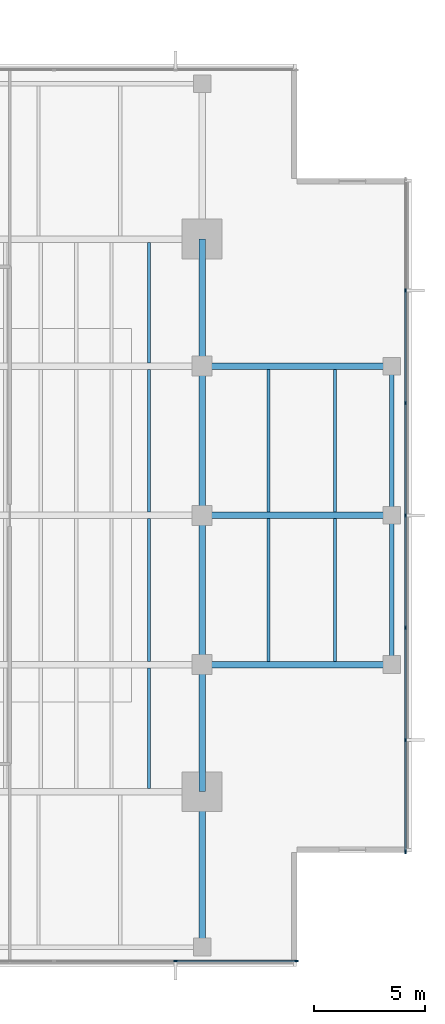
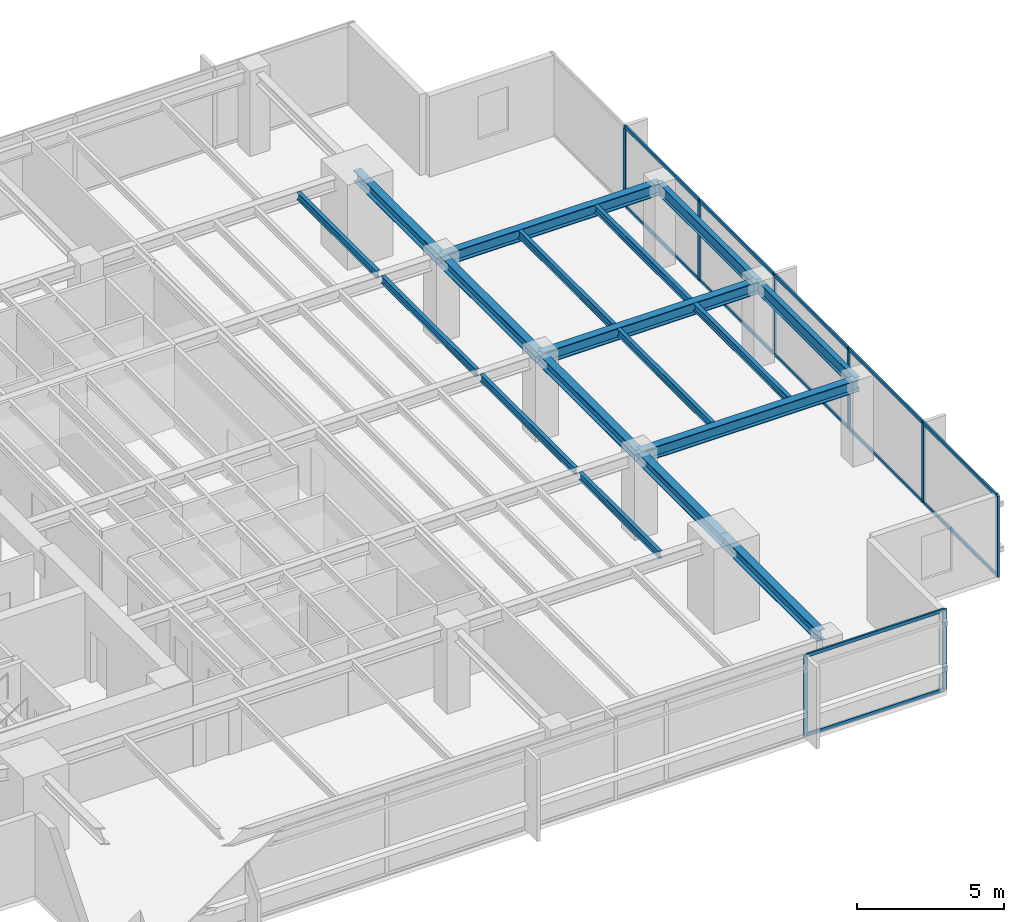
# One storey, part 4 of 14: 20 members, 18 beams, 2 elements without a shape of their own.
"""IFC4 building model written with IfcOpenShell, lengths in metres."""

from ifc_helpers import new_model, si_unit, direction, frame, origin, origin_2d, place, context, subcontext, project, spatial, rectangle, i_section, extrude, material, layer, layer_set, material_profile, profile_set, type_object, element, aggregate, save


model = new_model("IFC4")

# Units and contexts
model_context = context("Model", 3, precision=1e-05, world=origin(), true_north=direction((0.0, 1.0)))
body_context = subcontext(model_context, "Body", "Model", "MODEL_VIEW")
ifc_project = project(units=[si_unit("LENGTHUNIT", "METRE"), si_unit("AREAUNIT", "SQUARE_METRE"), si_unit("VOLUMEUNIT", "CUBIC_METRE"), si_unit("PLANEANGLEUNIT", "RADIAN"), si_unit("MASSUNIT", "GRAM", prefix="KILO")], contexts=[model_context])

# Site, building, storey
site_placement = place(None, origin())
site = spatial("IfcSite", under=ifc_project, at=site_placement, CompositionType="ELEMENT")
building_placement = place(site_placement, origin())
building = spatial("IfcBuilding", under=site, at=building_placement, Name="Kinhvarn Gate Tower", CompositionType="ELEMENT")
storey_placement = place(building_placement, frame((0.0, 0.0, 195.14990234375)))
storey = spatial("IfcBuildingStorey", under=building, at=storey_placement, Name="L51", CompositionType="ELEMENT", Elevation=195.14990234375)

# Curtain wall, members
ifc_material_1 = material(Name="Anodised aluminium AW-6063", Category="aluminium")
ifc_layer = layer(ifc_material_1, 0.179931640625)
ifc_layer_set = layer_set([ifc_layer], Name="Anodised aluminium AW-6063")
curtain_wall_type = type_object("IfcCurtainWallType", Name="CW-SYS-3", PredefinedType="NOTDEFINED", material=ifc_layer_set)
curtain_wall_1_placement = place(storey_placement, origin())
curtain_wall_1 = element("IfcCurtainWall", 1, at=curtain_wall_1_placement, inside=storey, type_object=curtain_wall_type, Name="Curtain Wall CW3 (L51)", PredefinedType="NOTDEFINED")
ifc_material_profile_1 = material_profile(ifc_material_1, rectangle(XDim=0.06494140625, YDim=0.159912109375, at=origin_2d()), Name="ALU 65x160")
ifc_profile_set_1 = profile_set([ifc_material_profile_1], Name="Anodised aluminium AW-6063")
member_type_1 = type_object("IfcMemberType", Name="CW-MUL-160", PredefinedType="MULLION", material=ifc_profile_set_1)
member_1_placement = place(storey_placement, frame((37.0, 5.090087890625, 0.0), z_axis=(0.0, 0.0, 1.0), x_axis=(0.0, 1.0, 0.0)))
member_1 = element("IfcMember", 2, at=member_1_placement, type_object=member_type_1, Name="CW3 mullion 6", PredefinedType="MULLION", context=body_context, shape_type="SweptSolid", body=[
    extrude(rectangle(XDim=0.06494140625, YDim=0.159912109375, at=origin_2d()), origin(), (0.0, 0.0, 1.0), 3.3701171875),
])
member_2_placement = place(storey_placement, frame((42.467529296875, 5.090087890625, 0.0), z_axis=(0.0, 0.0, 1.0), x_axis=(0.0, 1.0, 0.0)))
member_2 = element("IfcMember", 3, at=member_2_placement, type_object=member_type_1, Name="CW3 mullion 7", PredefinedType="MULLION", context=body_context, shape_type="SweptSolid", body=[
    extrude(rectangle(XDim=0.06494140625, YDim=0.159912109375, at=origin_2d()), origin(), (0.0, 0.0, 1.0), 3.3701171875),
])

curtain_wall_2_placement = place(storey_placement, origin())
curtain_wall_2 = element("IfcCurtainWall", 4, at=curtain_wall_2_placement, inside=storey, type_object=curtain_wall_type, Name="Curtain Wall CW3 (L51)", PredefinedType="NOTDEFINED")
member_3_placement = place(storey_placement, frame((47.409912109375, 10.032470703125, 0.0), z_axis=(0.0, 0.0, 1.0), x_axis=(-1.0, 0.0, 0.0)))
member_3 = element("IfcMember", 5, at=member_3_placement, type_object=member_type_1, Name="CW3 mullion 1", PredefinedType="MULLION", context=body_context, shape_type="SweptSolid", body=[
    extrude(rectangle(XDim=0.06494140625, YDim=0.159912109375, at=origin_2d()), origin(), (0.0, 0.0, 1.0), 3.3701171875),
])
member_4_placement = place(storey_placement, frame((47.409912109375, 15.083251953125, 0.0), z_axis=(0.0, 0.0, 1.0), x_axis=(-1.0, 0.0, 0.0)))
member_4 = element("IfcMember", 6, at=member_4_placement, type_object=member_type_1, Name="CW3 mullion 2", PredefinedType="MULLION", context=body_context, shape_type="SweptSolid", body=[
    extrude(rectangle(XDim=0.06494140625, YDim=0.159912109375, at=origin_2d()), origin(), (0.0, 0.0, 1.0), 3.3701171875),
])
member_5_placement = place(storey_placement, frame((47.409912109375, 20.166748046875, 0.0), z_axis=(0.0, 0.0, 1.0), x_axis=(-1.0, 0.0, 0.0)))
member_5 = element("IfcMember", 7, at=member_5_placement, type_object=member_type_1, Name="CW3 mullion 3", PredefinedType="MULLION", context=body_context, shape_type="SweptSolid", body=[
    extrude(rectangle(XDim=0.06494140625, YDim=0.159912109375, at=origin_2d()), origin(), (0.0, 0.0, 1.0), 3.3701171875),
])
member_6_placement = place(storey_placement, frame((47.409912109375, 25.25, 0.0), z_axis=(0.0, 0.0, 1.0), x_axis=(-1.0, 0.0, 0.0)))
member_6 = element("IfcMember", 8, at=member_6_placement, type_object=member_type_1, Name="CW3 mullion 4", PredefinedType="MULLION", context=body_context, shape_type="SweptSolid", body=[
    extrude(rectangle(XDim=0.06494140625, YDim=0.159912109375, at=origin_2d()), origin(), (0.0, 0.0, 1.0), 3.3701171875),
])
member_7_placement = place(storey_placement, frame((47.409912109375, 30.333251953125, 0.0), z_axis=(0.0, 0.0, 1.0), x_axis=(-1.0, 0.0, 0.0)))
member_7 = element("IfcMember", 9, at=member_7_placement, type_object=member_type_1, Name="CW3 mullion 5", PredefinedType="MULLION", context=body_context, shape_type="SweptSolid", body=[
    extrude(rectangle(XDim=0.06494140625, YDim=0.159912109375, at=origin_2d()), origin(), (0.0, 0.0, 1.0), 3.3701171875),
])
member_8_placement = place(storey_placement, frame((47.409912109375, 35.416748046875, 0.0), z_axis=(0.0, 0.0, 1.0), x_axis=(-1.0, 0.0, 0.0)))
member_8 = element("IfcMember", 10, at=member_8_placement, type_object=member_type_1, Name="CW3 mullion 6", PredefinedType="MULLION", context=body_context, shape_type="SweptSolid", body=[
    extrude(rectangle(XDim=0.06494140625, YDim=0.159912109375, at=origin_2d()), origin(), (0.0, 0.0, 1.0), 3.3701171875),
])

# Member
ifc_material_profile_2 = material_profile(ifc_material_1, rectangle(XDim=0.070068359375, YDim=0.139892578125, at=origin_2d()), Name="ALU 70x140")
ifc_profile_set_2 = profile_set([ifc_material_profile_2], Name="Anodised aluminium AW-6063")
member_type_2 = type_object("IfcMemberType", Name="CW-TRN-140", PredefinedType="USERDEFINED", material=ifc_profile_set_2)
member_9_placement = place(storey_placement, frame((37.032470703125, 5.090087890625, 0.03515625), z_axis=(1.0, 0.0, 0.0), x_axis=(0.0, 1.0, 0.0)))
member_9 = element("IfcMember", 11, at=member_9_placement, type_object=member_type_2, Name="CW3 transom 6.1", ObjectType="TRANSOM", PredefinedType="USERDEFINED", context=body_context, shape_type="SweptSolid", body=[
    extrude(rectangle(XDim=0.070068359375, YDim=0.139892578125, at=origin_2d()), origin(), (0.0, 0.0, 1.0), 5.402587890625),
])

member_10_placement = place(storey_placement, frame((37.032470703125, 5.090087890625, 3.335205078125), z_axis=(1.0, 0.0, 0.0), x_axis=(0.0, 1.0, 0.0)))
member_10 = element("IfcMember", 12, at=member_10_placement, type_object=member_type_2, Name="CW3 transom 6.2", ObjectType="TRANSOM", PredefinedType="USERDEFINED", context=body_context, shape_type="SweptSolid", body=[
    extrude(rectangle(XDim=0.070068359375, YDim=0.139892578125, at=origin_2d()), origin(), (0.0, 0.0, 1.0), 5.402587890625),
])

aggregate(curtain_wall_1, [member_1, member_2, member_9, member_10])

member_11_placement = place(storey_placement, frame((47.409912109375, 10.06494140625, 0.03515625), z_axis=(0.0, 1.0, 0.0), x_axis=(-1.0, 0.0, 0.0)))
member_11 = element("IfcMember", 13, at=member_11_placement, type_object=member_type_2, Name="CW3 transom 1.1", ObjectType="TRANSOM", PredefinedType="USERDEFINED", context=body_context, shape_type="SweptSolid", body=[
    extrude(rectangle(XDim=0.070068359375, YDim=0.139892578125, at=origin_2d()), origin(), (0.0, 0.0, 1.0), 4.98583984375),
])

member_12_placement = place(storey_placement, frame((47.409912109375, 10.06494140625, 3.335205078125), z_axis=(0.0, 1.0, 0.0), x_axis=(-1.0, 0.0, 0.0)))
member_12 = element("IfcMember", 14, at=member_12_placement, type_object=member_type_2, Name="CW3 transom 1.2", ObjectType="TRANSOM", PredefinedType="USERDEFINED", context=body_context, shape_type="SweptSolid", body=[
    extrude(rectangle(XDim=0.070068359375, YDim=0.139892578125, at=origin_2d()), origin(), (0.0, 0.0, 1.0), 4.98583984375),
])

member_13_placement = place(storey_placement, frame((47.409912109375, 15.11572265625, 0.03515625), z_axis=(0.0, 1.0, 0.0), x_axis=(-1.0, 0.0, 0.0)))
member_13 = element("IfcMember", 15, at=member_13_placement, type_object=member_type_2, Name="CW3 transom 2.1", ObjectType="TRANSOM", PredefinedType="USERDEFINED", context=body_context, shape_type="SweptSolid", body=[
    extrude(rectangle(XDim=0.070068359375, YDim=0.139892578125, at=origin_2d()), origin(), (0.0, 0.0, 1.0), 5.0185546875),
])

member_14_placement = place(storey_placement, frame((47.409912109375, 15.11572265625, 3.335205078125), z_axis=(0.0, 1.0, 0.0), x_axis=(-1.0, 0.0, 0.0)))
member_14 = element("IfcMember", 16, at=member_14_placement, type_object=member_type_2, Name="CW3 transom 2.2", ObjectType="TRANSOM", PredefinedType="USERDEFINED", context=body_context, shape_type="SweptSolid", body=[
    extrude(rectangle(XDim=0.070068359375, YDim=0.139892578125, at=origin_2d()), origin(), (0.0, 0.0, 1.0), 5.0185546875),
])

member_15_placement = place(storey_placement, frame((47.409912109375, 20.19921875, 0.03515625), z_axis=(0.0, 1.0, 0.0), x_axis=(-1.0, 0.0, 0.0)))
member_15 = element("IfcMember", 17, at=member_15_placement, type_object=member_type_2, Name="CW3 transom 3.1", ObjectType="TRANSOM", PredefinedType="USERDEFINED", context=body_context, shape_type="SweptSolid", body=[
    extrude(rectangle(XDim=0.070068359375, YDim=0.139892578125, at=origin_2d()), origin(), (0.0, 0.0, 1.0), 5.018310546875),
])

member_16_placement = place(storey_placement, frame((47.409912109375, 20.19921875, 3.335205078125), z_axis=(0.0, 1.0, 0.0), x_axis=(-1.0, 0.0, 0.0)))
member_16 = element("IfcMember", 18, at=member_16_placement, type_object=member_type_2, Name="CW3 transom 3.2", ObjectType="TRANSOM", PredefinedType="USERDEFINED", context=body_context, shape_type="SweptSolid", body=[
    extrude(rectangle(XDim=0.070068359375, YDim=0.139892578125, at=origin_2d()), origin(), (0.0, 0.0, 1.0), 5.018310546875),
])

member_17_placement = place(storey_placement, frame((47.409912109375, 25.282470703125, 0.03515625), z_axis=(0.0, 1.0, 0.0), x_axis=(-1.0, 0.0, 0.0)))
member_17 = element("IfcMember", 19, at=member_17_placement, type_object=member_type_2, Name="CW3 transom 4.1", ObjectType="TRANSOM", PredefinedType="USERDEFINED", context=body_context, shape_type="SweptSolid", body=[
    extrude(rectangle(XDim=0.070068359375, YDim=0.139892578125, at=origin_2d()), origin(), (0.0, 0.0, 1.0), 5.018310546875),
])

member_18_placement = place(storey_placement, frame((47.409912109375, 25.282470703125, 3.335205078125), z_axis=(0.0, 1.0, 0.0), x_axis=(-1.0, 0.0, 0.0)))
member_18 = element("IfcMember", 20, at=member_18_placement, type_object=member_type_2, Name="CW3 transom 4.2", ObjectType="TRANSOM", PredefinedType="USERDEFINED", context=body_context, shape_type="SweptSolid", body=[
    extrude(rectangle(XDim=0.070068359375, YDim=0.139892578125, at=origin_2d()), origin(), (0.0, 0.0, 1.0), 5.018310546875),
])

member_19_placement = place(storey_placement, frame((47.409912109375, 30.36572265625, 0.03515625), z_axis=(0.0, 1.0, 0.0), x_axis=(-1.0, 0.0, 0.0)))
member_19 = element("IfcMember", 21, at=member_19_placement, type_object=member_type_2, Name="CW3 transom 5.1", ObjectType="TRANSOM", PredefinedType="USERDEFINED", context=body_context, shape_type="SweptSolid", body=[
    extrude(rectangle(XDim=0.070068359375, YDim=0.139892578125, at=origin_2d()), origin(), (0.0, 0.0, 1.0), 5.0185546875),
])

member_20_placement = place(storey_placement, frame((47.409912109375, 30.36572265625, 3.335205078125), z_axis=(0.0, 1.0, 0.0), x_axis=(-1.0, 0.0, 0.0)))
member_20 = element("IfcMember", 22, at=member_20_placement, type_object=member_type_2, Name="CW3 transom 5.2", ObjectType="TRANSOM", PredefinedType="USERDEFINED", context=body_context, shape_type="SweptSolid", body=[
    extrude(rectangle(XDim=0.070068359375, YDim=0.139892578125, at=origin_2d()), origin(), (0.0, 0.0, 1.0), 5.0185546875),
])

aggregate(curtain_wall_2, [member_3, member_4, member_5, member_6, member_7, member_8, member_11, member_12, member_13, member_14, member_15, member_16, member_17, member_18, member_19, member_20])

# Beams
ifc_material_2 = material(Name="Steel S355", Category="steel")
ifc_material_profile_3 = material_profile(ifc_material_2, i_section(OverallWidth=0.300048828125, OverallDepth=0.449951171875, WebThickness=0.013916015625, FlangeThickness=0.02587890625, at=origin_2d()), Name="HEB 450")
ifc_profile_set_3 = profile_set([ifc_material_profile_3], Name="Steel S355")
beam_type_1 = type_object("IfcBeamType", Name="STL-HEB450", PredefinedType="BEAM", material=ifc_profile_set_3)
beam_1_placement = place(storey_placement, frame((38.199951171875, 6.10498046875, 3.14501953125), z_axis=(0.0, 1.0, 0.0), x_axis=(-1.0, 0.0, 0.0)))
element("IfcBeam", 23, at=beam_1_placement, inside=storey, type_object=beam_type_1, Name="Floor Beam PG-13 (L51 MCE-S)", PredefinedType="BEAM", context=body_context, shape_type="SweptSolid", body=[
    extrude(i_section(OverallWidth=0.300048828125, OverallDepth=0.449951171875, WebThickness=0.013916015625, FlangeThickness=0.02587890625, at=origin_2d()), origin(), (0.0, 0.0, 1.0), 6.64501953125),
])
beam_2_placement = place(storey_placement, frame((38.199951171875, 12.75, 3.14501953125), z_axis=(0.0, 1.0, 0.0), x_axis=(-1.0, 0.0, 0.0)))
element("IfcBeam", 24, at=beam_2_placement, inside=storey, type_object=beam_type_1, Name="Floor Beam PG-13 (L51 MG-E-12)", PredefinedType="BEAM", context=body_context, shape_type="SweptSolid", body=[
    extrude(i_section(OverallWidth=0.300048828125, OverallDepth=0.449951171875, WebThickness=0.013916015625, FlangeThickness=0.02587890625, at=origin_2d()), origin(), (0.0, 0.0, 1.0), 5.75),
])
for number, where, z_axis, x_axis, name in (
    (25, (38.199951171875, 18.5, 3.14501953125), (0.0, 1.0, 0.0), (-1.0, 0.0, 0.0), "Floor Beam PG-13 (L51 MG-E-18)"),
    (26, (38.199951171875, 25.25, 3.14501953125), (0.0, 1.0, 0.0), (-1.0, 0.0, 0.0), "Floor Beam PG-13 (L51 MG-E-25)"),
):
    element("IfcBeam", number, at=place(storey_placement, frame(where, z_axis=z_axis, x_axis=x_axis)), inside=storey, type_object=beam_type_1, Name=name, PredefinedType="BEAM", context=body_context, shape_type="SweptSolid", body=[
        extrude(i_section(OverallWidth=0.300048828125, OverallDepth=0.449951171875, WebThickness=0.013916015625, FlangeThickness=0.02587890625, at=origin_2d()), origin(), (0.0, 0.0, 1.0), 6.75),
    ])
beam_3_placement = place(storey_placement, frame((38.199951171875, 32.0, 3.14501953125), z_axis=(0.0, 1.0, 0.0), x_axis=(-1.0, 0.0, 0.0)))
element("IfcBeam", 27, at=beam_3_placement, inside=storey, type_object=beam_type_1, Name="Floor Beam PG-13 (L51 MG-E-32)", PredefinedType="BEAM", context=body_context, shape_type="SweptSolid", body=[
    extrude(i_section(OverallWidth=0.300048828125, OverallDepth=0.449951171875, WebThickness=0.013916015625, FlangeThickness=0.02587890625, at=origin_2d()), origin(), (0.0, 0.0, 1.0), 5.75),
])
ifc_material_profile_4 = material_profile(ifc_material_2, i_section(OverallWidth=0.300048828125, OverallDepth=0.5, WebThickness=0.014404296875, FlangeThickness=0.028076171875, at=origin_2d()), Name="HEB 500")
ifc_profile_set_4 = profile_set([ifc_material_profile_4], Name="Steel S355")
beam_type_2 = type_object("IfcBeamType", Name="STL-HEB500", PredefinedType="BEAM", material=ifc_profile_set_4)
for number, where, z_axis, x_axis, name in (
    (28, (38.199951171875, 18.5, 3.1201171875), (1.0, 0.0, 0.0), (0.0, 1.0, 0.0), "Floor Beam PG-14 (L51 EW2-Y18)"),
    (29, (38.199951171875, 25.25, 3.1201171875), (1.0, 0.0, 0.0), (0.0, 1.0, 0.0), "Floor Beam PG-14 (L51 EW2-Y25)"),
    (30, (38.199951171875, 32.0, 3.1201171875), (1.0, 0.0, 0.0), (0.0, 1.0, 0.0), "Floor Beam PG-14 (L51 EW2-Y32)"),
):
    element("IfcBeam", number, at=place(storey_placement, frame(where, z_axis=z_axis, x_axis=x_axis)), inside=storey, type_object=beam_type_2, Name=name, PredefinedType="BEAM", context=body_context, shape_type="SweptSolid", body=[
        extrude(i_section(OverallWidth=0.300048828125, OverallDepth=0.5, WebThickness=0.014404296875, FlangeThickness=0.028076171875, at=origin_2d()), origin(), (0.0, 0.0, 1.0), 8.580078125),
    ])
ifc_material_profile_5 = material_profile(ifc_material_2, i_section(OverallWidth=0.14990234375, OverallDepth=0.300048828125, WebThickness=0.007080078125, FlangeThickness=0.0107421875, at=origin_2d()), Name="IPE 300")
ifc_profile_set_5 = profile_set([ifc_material_profile_5], Name="Steel S355")
beam_type_3 = type_object("IfcBeamType", Name="STL-IPE300", PredefinedType="JOIST", material=ifc_profile_set_5)
beam_4_placement = place(storey_placement, frame((35.800048828125, 12.89990234375, 3.22021484375), z_axis=(0.0, 1.0, 0.0), x_axis=(-1.0, 0.0, 0.0)))
element("IfcBeam", 31, at=beam_4_placement, inside=storey, type_object=beam_type_3, Name="Floor Joist SB-02 (L51 JC-X358-0)", PredefinedType="JOIST", context=body_context, shape_type="SweptSolid", body=[
    extrude(i_section(OverallWidth=0.14990234375, OverallDepth=0.300048828125, WebThickness=0.007080078125, FlangeThickness=0.0107421875, at=origin_2d()), origin(), (0.0, 0.0, 1.0), 5.4501953125),
])
for number, where, z_axis, x_axis, name in (
    (32, (35.800048828125, 18.64990234375, 3.22021484375), (0.0, 1.0, 0.0), (-1.0, 0.0, 0.0), "Floor Joist SB-02 (L51 JC-X358-1)"),
    (33, (35.800048828125, 25.39990234375, 3.22021484375), (0.0, 1.0, 0.0), (-1.0, 0.0, 0.0), "Floor Joist SB-02 (L51 JC-X358-2)"),
):
    element("IfcBeam", number, at=place(storey_placement, frame(where, z_axis=z_axis, x_axis=x_axis)), inside=storey, type_object=beam_type_3, Name=name, PredefinedType="JOIST", context=body_context, shape_type="SweptSolid", body=[
        extrude(i_section(OverallWidth=0.14990234375, OverallDepth=0.300048828125, WebThickness=0.007080078125, FlangeThickness=0.0107421875, at=origin_2d()), origin(), (0.0, 0.0, 1.0), 6.4501953125),
    ])
beam_5_placement = place(storey_placement, frame((35.800048828125, 32.14990234375, 3.22021484375), z_axis=(0.0, 1.0, 0.0), x_axis=(-1.0, 0.0, 0.0)))
element("IfcBeam", 34, at=beam_5_placement, inside=storey, type_object=beam_type_3, Name="Floor Joist SB-02 (L51 JC-X358-3)", PredefinedType="JOIST", context=body_context, shape_type="SweptSolid", body=[
    extrude(i_section(OverallWidth=0.14990234375, OverallDepth=0.300048828125, WebThickness=0.007080078125, FlangeThickness=0.0107421875, at=origin_2d()), origin(), (0.0, 0.0, 1.0), 5.4501953125),
])
for number, where, z_axis, x_axis, name in (
    (35, (41.199951171875, 18.64990234375, 3.22021484375), (0.0, 1.0, 0.0), (-1.0, 0.0, 0.0), "Floor Joist SB-02 (L51 JC-X412-1)"),
    (36, (41.199951171875, 25.39990234375, 3.22021484375), (0.0, 1.0, 0.0), (-1.0, 0.0, 0.0), "Floor Joist SB-02 (L51 JC-X412-2)"),
    (37, (44.2099609375, 18.64990234375, 3.22021484375), (0.0, 1.0, 0.0), (-1.0, 0.0, 0.0), "Floor Joist SB-02 (L51 JC-X442-1)"),
    (38, (44.2099609375, 25.39990234375, 3.22021484375), (0.0, 1.0, 0.0), (-1.0, 0.0, 0.0), "Floor Joist SB-02 (L51 JC-X442-2)"),
):
    element("IfcBeam", number, at=place(storey_placement, frame(where, z_axis=z_axis, x_axis=x_axis)), inside=storey, type_object=beam_type_3, Name=name, PredefinedType="JOIST", context=body_context, shape_type="SweptSolid", body=[
        extrude(i_section(OverallWidth=0.14990234375, OverallDepth=0.300048828125, WebThickness=0.007080078125, FlangeThickness=0.0107421875, at=origin_2d()), origin(), (0.0, 0.0, 1.0), 6.4501953125),
    ])
ifc_material_profile_6 = material_profile(ifc_material_2, i_section(OverallWidth=0.199951171875, OverallDepth=0.5, WebThickness=0.01025390625, FlangeThickness=0.01611328125, at=origin_2d()), Name="IPE 500")
ifc_profile_set_6 = profile_set([ifc_material_profile_6], Name="Steel S355")
beam_type_4 = type_object("IfcBeamType", Name="STL-IPE500", PredefinedType="SPANDREL", material=ifc_profile_set_6)
for number, where, z_axis, x_axis, name in (
    (39, (46.780029296875, 18.5, 3.1201171875), (0.0, 1.0, 0.0), (-1.0, 0.0, 0.0), "Floor Spandrel SB-07 (L51 SP-E2)"),
    (40, (46.780029296875, 25.25, 3.1201171875), (0.0, 1.0, 0.0), (-1.0, 0.0, 0.0), "Floor Spandrel SB-07 (L51 SP-E3)"),
):
    element("IfcBeam", number, at=place(storey_placement, frame(where, z_axis=z_axis, x_axis=x_axis)), inside=storey, type_object=beam_type_4, Name=name, PredefinedType="SPANDREL", context=body_context, shape_type="SweptSolid", body=[
        extrude(i_section(OverallWidth=0.199951171875, OverallDepth=0.5, WebThickness=0.01025390625, FlangeThickness=0.01611328125, at=origin_2d()), origin(), (0.0, 0.0, 1.0), 6.75),
    ])

save(model, "model.ifc")
